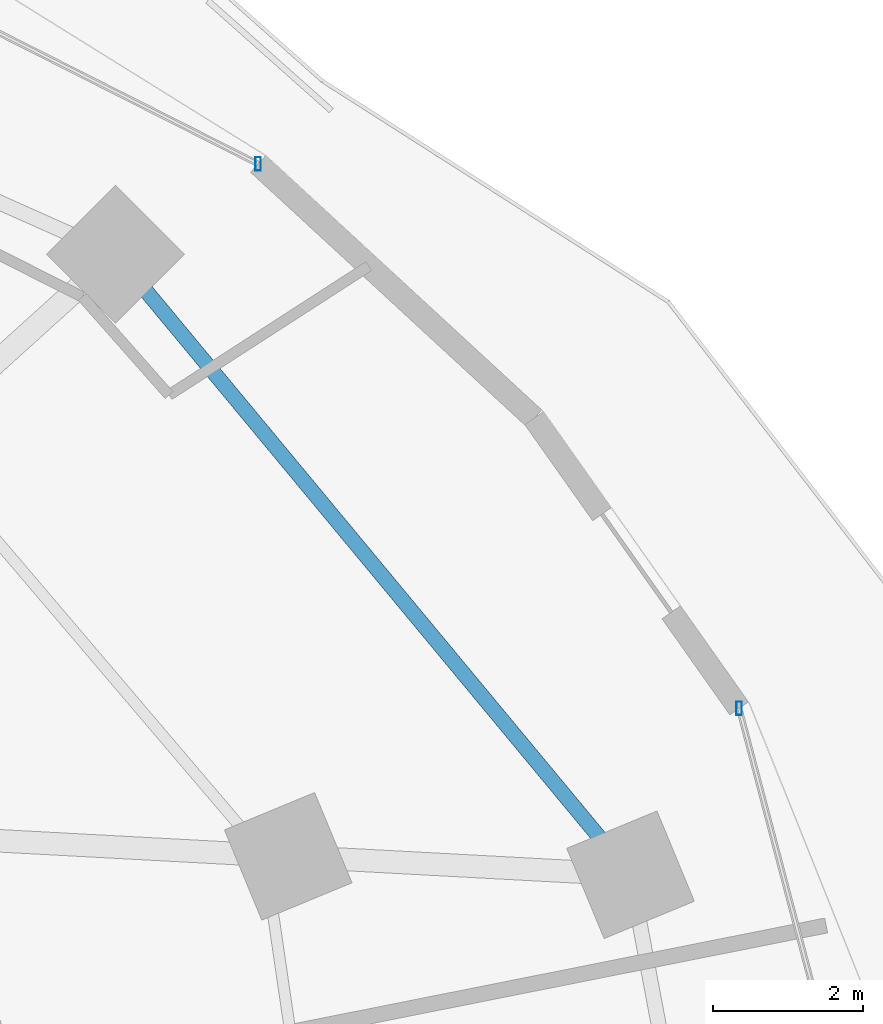
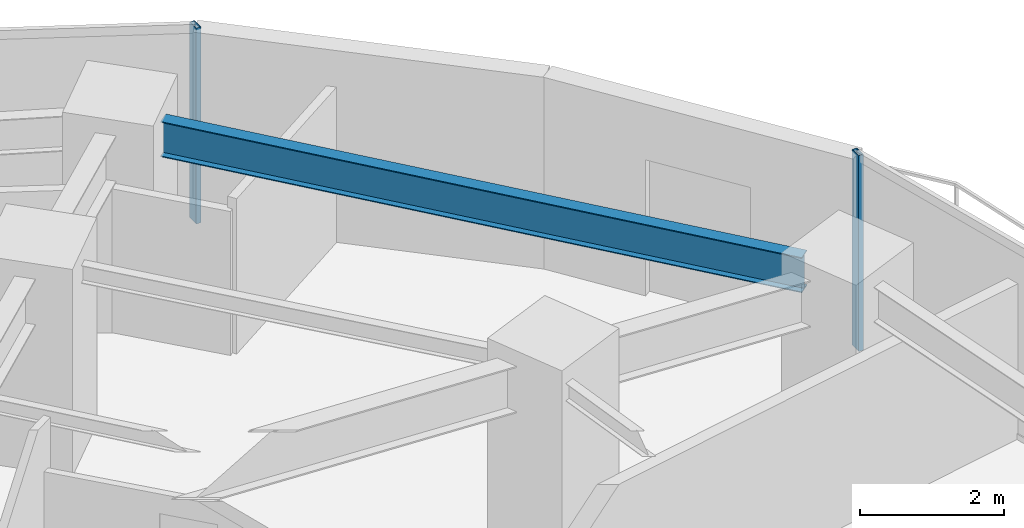
# One storey, part 21 of 30: 2 members, 1 beam, 2 elements without a shape of their own.
"""IFC4 building model written with IfcOpenShell, lengths in metres."""

from ifc_helpers import new_model, si_unit, direction, frame, origin, origin_2d, place, context, subcontext, project, spatial, hollow_rectangle, i_section, extrude, material, material_profile, profile_set, type_object, element, aggregate, save


model = new_model("IFC4")

# Units and contexts
model_context = context("Model", 3, precision=1e-05, world=origin(), true_north=direction((0.0, 1.0)))
body_context = subcontext(model_context, "Body", "Model", "MODEL_VIEW")
ifc_project = project(units=[si_unit("LENGTHUNIT", "METRE"), si_unit("AREAUNIT", "SQUARE_METRE"), si_unit("VOLUMEUNIT", "CUBIC_METRE"), si_unit("PLANEANGLEUNIT", "RADIAN"), si_unit("MASSUNIT", "GRAM", prefix="KILO")], contexts=[model_context])

# Site, building, storey
site_placement = place(None, origin())
site = spatial("IfcSite", under=ifc_project, at=site_placement, CompositionType="ELEMENT")
building_placement = place(site_placement, origin())
building = spatial("IfcBuilding", under=site, at=building_placement, Name="Vorneva Point Tower", CompositionType="ELEMENT")
storey_placement = place(building_placement, frame((0.0, 0.0, 41.5)))
storey = spatial("IfcBuildingStorey", under=building, at=storey_placement, Name="L10", CompositionType="ELEMENT", Elevation=41.5)

# Beam
ifc_material_1 = material(Name="Steel S355", Category="steel")
ifc_material_profile_1 = material_profile(ifc_material_1, i_section(OverallWidth=0.198974609375, OverallDepth=0.595947265625, WebThickness=0.010009765625, FlangeThickness=0.014892578125, at=origin_2d()), Name="60B1")
ifc_profile_set_1 = profile_set([ifc_material_profile_1], Name="Steel S355")
beam_type = type_object("IfcBeamType", Name="BM-SPN-60B1", PredefinedType="SPANDREL", material=ifc_profile_set_1)
beam_placement = place(storey_placement, frame((63.448974609375, 32.825439453125, 2.94189453125), z_axis=(-0.638610485359, 0.769530147551, 0.0), x_axis=(-0.769530147551, -0.638610485359, 0.0)))
element("IfcBeam", 1, at=beam_placement, inside=storey, type_object=beam_type, Name="L10 Perimeter Spandrel Ring Beam 02", PredefinedType="SPANDREL", context=body_context, shape_type="SweptSolid", body=[
    extrude(i_section(OverallWidth=0.198974609375, OverallDepth=0.595947265625, WebThickness=0.010009765625, FlangeThickness=0.014892578125, at=origin_2d()), origin(), (0.0, 0.0, 1.0), 9.4677734375),
])

# Curtain wall, member
ifc_material_2 = material(Name="Pale anodised aluminium", Category="aluminium")
curtain_wall_type = type_object("IfcCurtainWallType", Name="CW-HTL-SYS", PredefinedType="NOTDEFINED", material=ifc_material_2)
curtain_wall_1_placement = place(storey_placement, origin())
curtain_wall_1 = element("IfcCurtainWall", 2, at=curtain_wall_1_placement, inside=storey, type_object=curtain_wall_type, Name="L10 Unitised Curtain Wall CW-L10-R01", PredefinedType="NOTDEFINED")
ifc_material_profile_2 = material_profile(ifc_material_2, hollow_rectangle(XDim=0.074951171875, YDim=0.179931640625, WallThickness=0.00390625, at=origin_2d()), Name="AL-MUL 180x75x4")
ifc_profile_set_2 = profile_set([ifc_material_profile_2], Name="Pale anodised aluminium")
member_type = type_object("IfcMemberType", Name="CW-MUL-180", PredefinedType="MULLION", material=ifc_profile_set_2)
member_1_placement = place(storey_placement, frame((65.300537109375, 34.552978515625, -0.0400390625), z_axis=(0.0, 0.0, 1.0), x_axis=(1.0, 0.0, 0.0)))
member_1 = element("IfcMember", 3, at=member_1_placement, type_object=member_type, Name="CW-L10-R01 Mullion 04", PredefinedType="MULLION", context=body_context, shape_type="SweptSolid", body=[
    extrude(hollow_rectangle(XDim=0.074951171875, YDim=0.179931640625, WallThickness=0.00390625, at=origin_2d()), origin(), (0.0, 0.0, 1.0), 3.31005859375),
])
aggregate(curtain_wall_1, [member_1])

curtain_wall_2_placement = place(storey_placement, origin())
curtain_wall_2 = element("IfcCurtainWall", 4, at=curtain_wall_2_placement, inside=storey, type_object=curtain_wall_type, Name="L10 Unitised Curtain Wall CW-L10-R02", PredefinedType="NOTDEFINED")
member_2_placement = place(storey_placement, frame((58.89501953125, 41.8037109375, -0.0400390625), z_axis=(0.0, 0.0, 1.0), x_axis=(1.0, 0.0, 0.0)))
member_2 = element("IfcMember", 5, at=member_2_placement, type_object=member_type, Name="CW-L10-R02 Mullion 01", PredefinedType="MULLION", context=body_context, shape_type="SweptSolid", body=[
    extrude(hollow_rectangle(XDim=0.074951171875, YDim=0.179931640625, WallThickness=0.00390625, at=origin_2d()), origin(), (0.0, 0.0, 1.0), 3.31005859375),
])
aggregate(curtain_wall_2, [member_2])

save(model, "model.ifc")
